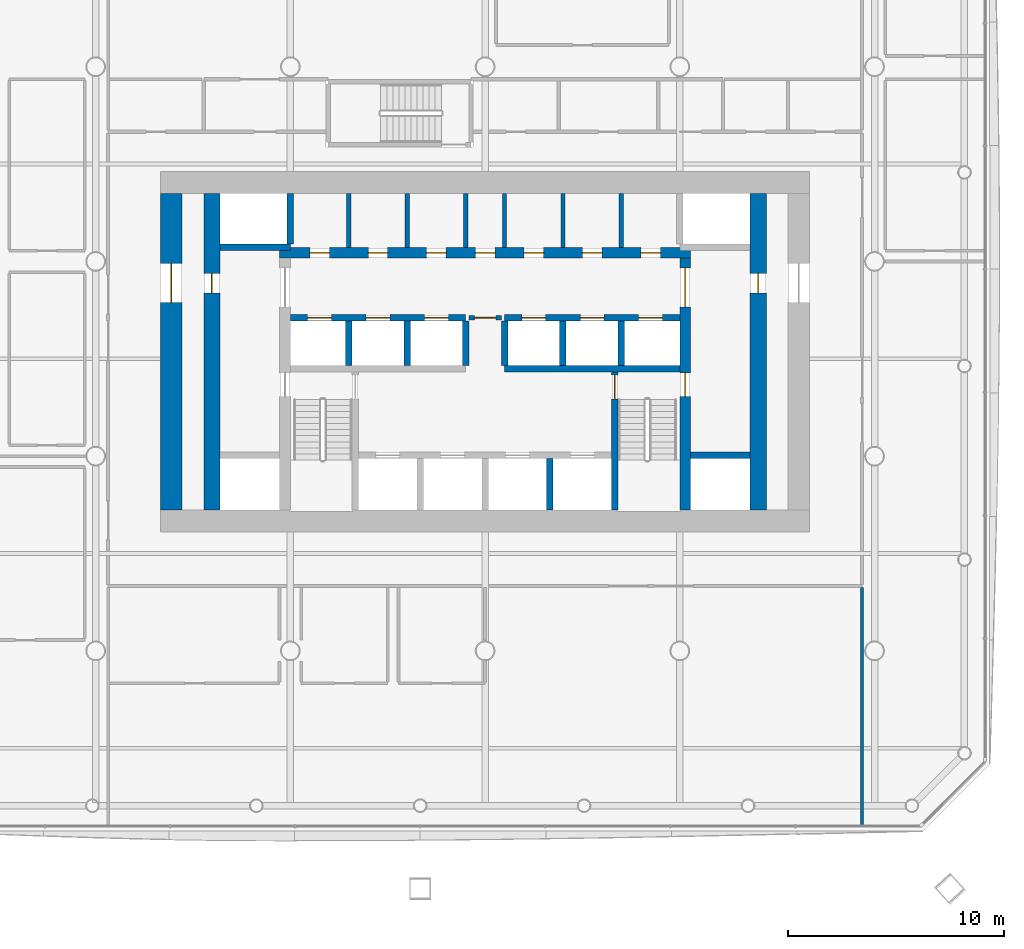
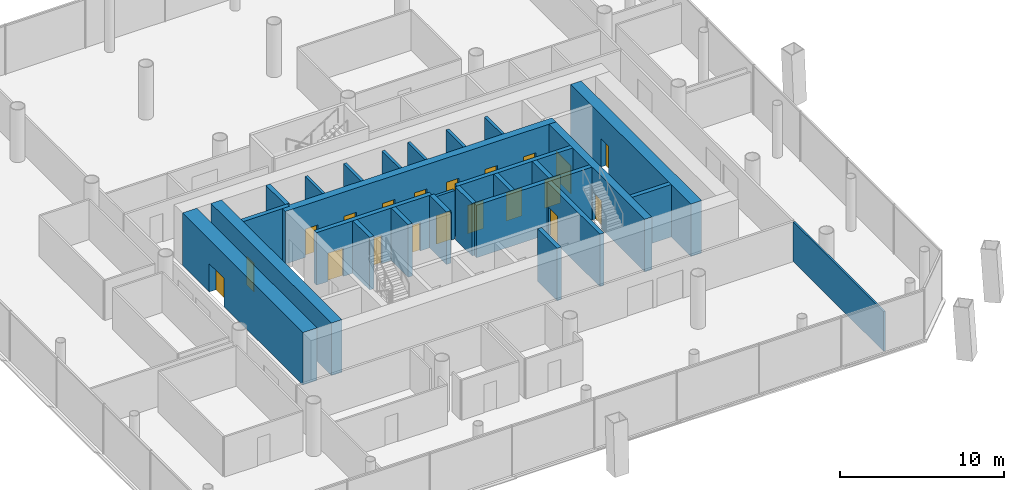
# One storey, part 13 of 20: 27 walls, 20 doors, 20 openings.
"""IFC4 building model written with IfcOpenShell, lengths in metres."""

from ifc_helpers import new_model, si_unit, direction, frame, frame_2d, origin, place, context, subcontext, project, spatial, rectangle, extrude, material, layer, layer_set, type_object, element, fill, save


model = new_model("IFC4")

# Units and contexts
model_context = context("Model", 3, precision=1e-05, world=origin(), true_north=direction((0.0, 1.0)))
body_context = subcontext(model_context, "Body", "Model", "MODEL_VIEW")
ifc_project = project(units=[si_unit("LENGTHUNIT", "METRE"), si_unit("AREAUNIT", "SQUARE_METRE"), si_unit("VOLUMEUNIT", "CUBIC_METRE"), si_unit("PLANEANGLEUNIT", "RADIAN"), si_unit("MASSUNIT", "GRAM", prefix="KILO")], contexts=[model_context])

# Site, building, storey
site_placement = place(None, origin())
site = spatial("IfcSite", under=ifc_project, at=site_placement, CompositionType="ELEMENT")
building_placement = place(site_placement, origin())
building = spatial("IfcBuilding", under=site, at=building_placement, Name="Tskaro Facet Tower", CompositionType="ELEMENT")
storey_placement = place(building_placement, frame((0.0, 0.0, 49.800048828125)))
storey = spatial("IfcBuildingStorey", under=building, at=storey_placement, Name="L11", CompositionType="ELEMENT", Elevation=49.800048828125)

# Walls
ifc_material_1 = material(Name="Concrete C60/75", Category="concrete")
ifc_layer_1 = layer(ifc_material_1, 0.300048828125, Name="Concrete C60/75")
ifc_layer_set_1 = layer_set([ifc_layer_1], Name="Concrete C60/75")
wall_type_1 = type_object("IfcWallType", Name="CORE-SHAFT", PredefinedType="SHEAR", material=ifc_layer_set_1)
wall_1_placement = place(storey_placement, frame((9.5, -8.949951171875, 0.0), z_axis=(0.0, 0.0, 1.0), x_axis=(1.0, 0.0, 0.0)))
element("IfcWall", 1, at=wall_1_placement, inside=storey, type_object=wall_type_1, Name="Shaft wall W010", PredefinedType="SHEAR", context=body_context, shape_type="SweptSolid", body=[
    extrude(rectangle(XDim=2.75, YDim=0.300048828125, at=frame_2d((1.375, 0.0))), origin(), (0.0, 0.0, 1.0), 3.89990234375),
])
wall_2_placement = place(storey_placement, frame((0.89990234375, -4.949951171875, 0.0), z_axis=(0.0, 0.0, 1.0), x_axis=(1.0, 0.0, 0.0)))
element("IfcWall", 2, at=wall_2_placement, inside=storey, type_object=wall_type_1, Name="Shaft wall W013", PredefinedType="SHEAR", context=body_context, shape_type="SweptSolid", body=[
    extrude(rectangle(XDim=8.10009765625, YDim=0.300048828125, at=frame_2d((4.050048828125, 0.0))), origin(), (0.0, 0.0, 1.0), 3.89990234375),
])

# Wall, openings, doors
wall_3_placement = place(storey_placement, frame((-9.0, -2.60009765625, 0.0), z_axis=(0.0, 0.0, 1.0), x_axis=(1.0, 0.0, 0.0)))
wall_3 = element("IfcWall", 3, at=wall_3_placement, inside=storey, type_object=wall_type_1, Name="Shaft wall W014", PredefinedType="SHEAR", context=body_context, shape_type="SweptSolid", body=[
    extrude(rectangle(XDim=8.10009765625, YDim=0.300048828125, at=frame_2d((4.050048828125, 0.0))), origin(), (0.0, 0.0, 1.0), 3.89990234375),
])
opening_1_placement = place(wall_3_placement, frame((0.800048828125, 0.0, 0.0)))
opening_1 = element("IfcOpeningElement", 4, at=opening_1_placement, cuts=wall_3, Name="Opening LD-LR1", PredefinedType="OPENING", context=body_context, shape_type="SweptSolid", body=[
    extrude(rectangle(XDim=1.10009765625, YDim=2.10009765625, at=frame_2d((0.550048828125, 1.050048828125))), frame((0.0, 0.159912109375, 0.0), z_axis=(0.0, -1.0, 0.0), x_axis=(1.0, 0.0, 0.0)), (0.0, 0.0, 1.0), 0.320068359375),
])
opening_2_placement = place(wall_3_placement, frame((3.5, 0.0, 0.0)))
opening_2 = element("IfcOpeningElement", 5, at=opening_2_placement, cuts=wall_3, Name="Opening LD-LR2", PredefinedType="OPENING", context=body_context, shape_type="SweptSolid", body=[
    extrude(rectangle(XDim=1.10009765625, YDim=2.10009765625, at=frame_2d((0.550048828125, 1.050048828125))), frame((0.0, 0.159912109375, 0.0), z_axis=(0.0, -1.0, 0.0), x_axis=(1.0, 0.0, 0.0)), (0.0, 0.0, 1.0), 0.320068359375),
])
opening_3_placement = place(wall_3_placement, frame((6.199951171875, 0.0, 0.0)))
opening_3 = element("IfcOpeningElement", 6, at=opening_3_placement, cuts=wall_3, Name="Opening LD-LR3", PredefinedType="OPENING", context=body_context, shape_type="SweptSolid", body=[
    extrude(rectangle(XDim=1.10009765625, YDim=2.10009765625, at=frame_2d((0.550048828125, 1.050048828125))), frame((0.0, 0.159912109375, 0.0), z_axis=(0.0, -1.0, 0.0), x_axis=(1.0, 0.0, 0.0)), (0.0, 0.0, 1.0), 0.320068359375),
])
ifc_material_2 = material(Name="Stainless steel", Category="steel")
door_type_1 = type_object("IfcDoorType", Name="D-LANDING", OperationType="NOTDEFINED", PredefinedType="DOOR", material=ifc_material_2)
door_1_placement = place(opening_1_placement, origin())
door_1 = element("IfcDoor", 7, at=door_1_placement, inside=storey, type_object=door_type_1, Name="Landing door LR1", OperationType="DOUBLE_DOOR_SLIDING", OverallHeight=2.10009765625, OverallWidth=1.10009765625, PredefinedType="DOOR", context=body_context, shape_type="SweptSolid", body=[
    extrude(rectangle(XDim=1.10009765625, YDim=2.10009765625, at=frame_2d((0.550048828125, 1.050048828125))), frame((0.0, 0.02490234375, 0.0), z_axis=(0.0, -1.0, 0.0), x_axis=(1.0, 0.0, 0.0)), (0.0, 0.0, 1.0), 0.050048828125),
])
fill(opening_1, door_1)
door_2_placement = place(opening_2_placement, origin())
door_2 = element("IfcDoor", 8, at=door_2_placement, inside=storey, type_object=door_type_1, Name="Landing door LR2", OperationType="DOUBLE_DOOR_SLIDING", OverallHeight=2.10009765625, OverallWidth=1.10009765625, PredefinedType="DOOR", context=body_context, shape_type="SweptSolid", body=[
    extrude(rectangle(XDim=1.10009765625, YDim=2.10009765625, at=frame_2d((0.550048828125, 1.050048828125))), frame((0.0, 0.02490234375, 0.0), z_axis=(0.0, -1.0, 0.0), x_axis=(1.0, 0.0, 0.0)), (0.0, 0.0, 1.0), 0.050048828125),
])
fill(opening_2, door_2)
door_3_placement = place(opening_3_placement, origin())
door_3 = element("IfcDoor", 9, at=door_3_placement, inside=storey, type_object=door_type_1, Name="Landing door LR3", OperationType="DOUBLE_DOOR_SLIDING", OverallHeight=2.10009765625, OverallWidth=1.10009765625, PredefinedType="DOOR", context=body_context, shape_type="SweptSolid", body=[
    extrude(rectangle(XDim=1.10009765625, YDim=2.10009765625, at=frame_2d((0.550048828125, 1.050048828125))), frame((0.0, 0.02490234375, 0.0), z_axis=(0.0, -1.0, 0.0), x_axis=(1.0, 0.0, 0.0)), (0.0, 0.0, 1.0), 0.050048828125),
])
fill(opening_3, door_3)

wall_4_placement = place(storey_placement, frame((0.89990234375, -2.60009765625, 0.0), z_axis=(0.0, 0.0, 1.0), x_axis=(1.0, 0.0, 0.0)))
wall_4 = element("IfcWall", 10, at=wall_4_placement, inside=storey, type_object=wall_type_1, Name="Shaft wall W016", PredefinedType="SHEAR", context=body_context, shape_type="SweptSolid", body=[
    extrude(rectangle(XDim=8.10009765625, YDim=0.300048828125, at=frame_2d((4.050048828125, 0.0))), origin(), (0.0, 0.0, 1.0), 3.89990234375),
])
opening_4_placement = place(wall_4_placement, frame((0.800048828125, 0.0, 0.0)))
opening_4 = element("IfcOpeningElement", 11, at=opening_4_placement, cuts=wall_4, Name="Opening LD-LR4", PredefinedType="OPENING", context=body_context, shape_type="SweptSolid", body=[
    extrude(rectangle(XDim=1.10009765625, YDim=2.10009765625, at=frame_2d((0.550048828125, 1.050048828125))), frame((0.0, 0.159912109375, 0.0), z_axis=(0.0, -1.0, 0.0), x_axis=(1.0, 0.0, 0.0)), (0.0, 0.0, 1.0), 0.320068359375),
])
opening_5_placement = place(wall_4_placement, frame((3.5, 0.0, 0.0)))
opening_5 = element("IfcOpeningElement", 12, at=opening_5_placement, cuts=wall_4, Name="Opening LD-LR5", PredefinedType="OPENING", context=body_context, shape_type="SweptSolid", body=[
    extrude(rectangle(XDim=1.10009765625, YDim=2.10009765625, at=frame_2d((0.550048828125, 1.050048828125))), frame((0.0, 0.159912109375, 0.0), z_axis=(0.0, -1.0, 0.0), x_axis=(1.0, 0.0, 0.0)), (0.0, 0.0, 1.0), 0.320068359375),
])
opening_6_placement = place(wall_4_placement, frame((6.199951171875, 0.0, 0.0)))
opening_6 = element("IfcOpeningElement", 13, at=opening_6_placement, cuts=wall_4, Name="Opening LD-LR6", PredefinedType="OPENING", context=body_context, shape_type="SweptSolid", body=[
    extrude(rectangle(XDim=1.10009765625, YDim=2.10009765625, at=frame_2d((0.550048828125, 1.050048828125))), frame((0.0, 0.159912109375, 0.0), z_axis=(0.0, -1.0, 0.0), x_axis=(1.0, 0.0, 0.0)), (0.0, 0.0, 1.0), 0.320068359375),
])
door_4_placement = place(opening_4_placement, origin())
door_4 = element("IfcDoor", 14, at=door_4_placement, inside=storey, type_object=door_type_1, Name="Landing door LR4", OperationType="DOUBLE_DOOR_SLIDING", OverallHeight=2.10009765625, OverallWidth=1.10009765625, PredefinedType="DOOR", context=body_context, shape_type="SweptSolid", body=[
    extrude(rectangle(XDim=1.10009765625, YDim=2.10009765625, at=frame_2d((0.550048828125, 1.050048828125))), frame((0.0, 0.02490234375, 0.0), z_axis=(0.0, -1.0, 0.0), x_axis=(1.0, 0.0, 0.0)), (0.0, 0.0, 1.0), 0.050048828125),
])
fill(opening_4, door_4)
door_5_placement = place(opening_5_placement, origin())
door_5 = element("IfcDoor", 15, at=door_5_placement, inside=storey, type_object=door_type_1, Name="Landing door LR5", OperationType="DOUBLE_DOOR_SLIDING", OverallHeight=2.10009765625, OverallWidth=1.10009765625, PredefinedType="DOOR", context=body_context, shape_type="SweptSolid", body=[
    extrude(rectangle(XDim=1.10009765625, YDim=2.10009765625, at=frame_2d((0.550048828125, 1.050048828125))), frame((0.0, 0.02490234375, 0.0), z_axis=(0.0, -1.0, 0.0), x_axis=(1.0, 0.0, 0.0)), (0.0, 0.0, 1.0), 0.050048828125),
])
fill(opening_5, door_5)
door_6_placement = place(opening_6_placement, origin())
door_6 = element("IfcDoor", 16, at=door_6_placement, inside=storey, type_object=door_type_1, Name="Landing door LR6", OperationType="DOUBLE_DOOR_SLIDING", OverallHeight=2.10009765625, OverallWidth=1.10009765625, PredefinedType="DOOR", context=body_context, shape_type="SweptSolid", body=[
    extrude(rectangle(XDim=1.10009765625, YDim=2.10009765625, at=frame_2d((0.550048828125, 1.050048828125))), frame((0.0, 0.02490234375, 0.0), z_axis=(0.0, -1.0, 0.0), x_axis=(1.0, 0.0, 0.0)), (0.0, 0.0, 1.0), 0.050048828125),
])
fill(opening_6, door_6)

# Walls
wall_5_placement = place(storey_placement, frame((-9.0, 0.64990234375, 0.0), z_axis=(0.0, 0.0, 1.0), x_axis=(-1.0, 0.0, 0.0)))
element("IfcWall", 17, at=wall_5_placement, inside=storey, type_object=wall_type_1, Name="Shaft wall W021", PredefinedType="SHEAR", context=body_context, shape_type="SweptSolid", body=[
    extrude(rectangle(XDim=3.25, YDim=0.300048828125, at=frame_2d((1.625, 0.0))), origin(), (0.0, 0.0, 1.0), 3.89990234375),
])
wall_6_placement = place(storey_placement, frame((-9.0, 0.800048828125, 0.0), z_axis=(0.0, 0.0, 1.0), x_axis=(0.0, 1.0, 0.0)))
element("IfcWall", 18, at=wall_6_placement, inside=storey, type_object=wall_type_1, Name="Shaft wall W049", PredefinedType="SHEAR", context=body_context, shape_type="SweptSolid", body=[
    extrude(rectangle(XDim=2.349853515625, YDim=0.300048828125, at=frame_2d((1.1748046875, 0.0))), origin(), (0.0, 0.0, 1.0), 3.89990234375),
])
for number, where, z_axis, x_axis, name in (
    (19, (-6.300048828125, -4.800048828125, 0.0), (0.0, 0.0, 1.0), (0.0, 1.0, 0.0), "Shaft wall W053"),
    (20, (-3.60009765625, -4.800048828125, 0.0), (0.0, 0.0, 1.0), (0.0, 1.0, 0.0), "Shaft wall W058"),
    (21, (-0.89990234375, -4.800048828125, 0.0), (0.0, 0.0, 1.0), (0.0, 1.0, 0.0), "Shaft wall W061"),
    (22, (0.89990234375, -4.800048828125, 0.0), (0.0, 0.0, 1.0), (0.0, 1.0, 0.0), "Shaft wall W068"),
):
    element("IfcWall", number, at=place(storey_placement, frame(where, z_axis=z_axis, x_axis=x_axis)), inside=storey, type_object=wall_type_1, Name=name, PredefinedType="SHEAR", context=body_context, shape_type="SweptSolid", body=[
        extrude(rectangle(XDim=2.050048828125, YDim=0.300048828125, at=frame_2d((1.02490234375, 0.0))), origin(), (0.0, 0.0, 1.0), 3.89990234375),
    ])
wall_7_placement = place(storey_placement, frame((3.0, -11.5, 0.0), z_axis=(0.0, 0.0, 1.0), x_axis=(0.0, 1.0, 0.0)))
element("IfcWall", 23, at=wall_7_placement, inside=storey, type_object=wall_type_1, Name="Shaft wall W070", PredefinedType="SHEAR", context=body_context, shape_type="SweptSolid", body=[
    extrude(rectangle(XDim=2.39990234375, YDim=0.300048828125, at=frame_2d((1.199951171875, 0.0))), origin(), (0.0, 0.0, 1.0), 3.89990234375),
])
wall_8_placement = place(storey_placement, frame((3.60009765625, -4.800048828125, 0.0), z_axis=(0.0, 0.0, 1.0), x_axis=(0.0, 1.0, 0.0)))
element("IfcWall", 24, at=wall_8_placement, inside=storey, type_object=wall_type_1, Name="Shaft wall W072", PredefinedType="SHEAR", context=body_context, shape_type="SweptSolid", body=[
    extrude(rectangle(XDim=2.050048828125, YDim=0.300048828125, at=frame_2d((1.02490234375, 0.0))), origin(), (0.0, 0.0, 1.0), 3.89990234375),
])

# Wall, opening, door
wall_9_placement = place(storey_placement, frame((6.0, -5.10009765625, 0.0), z_axis=(0.0, 0.0, 1.0), x_axis=(0.0, -1.0, 0.0)))
wall_9 = element("IfcWall", 25, at=wall_9_placement, inside=storey, type_object=wall_type_1, Name="Shaft wall W074", PredefinedType="SHEAR", context=body_context, shape_type="SweptSolid", body=[
    extrude(rectangle(XDim=6.39990234375, YDim=0.300048828125, at=frame_2d((3.199951171875, 0.0))), origin(), (0.0, 0.0, 1.0), 3.89990234375),
])
opening_7_placement = place(wall_9_placement, frame((0.14990234375, 0.0, 0.0)))
opening_7 = element("IfcOpeningElement", 26, at=opening_7_placement, cuts=wall_9, Name="Opening ST-2-D1", PredefinedType="OPENING", context=body_context, shape_type="SweptSolid", body=[
    extrude(rectangle(XDim=1.10009765625, YDim=2.10009765625, at=frame_2d((0.550048828125, 1.050048828125))), frame((0.0, 0.159912109375, 0.0), z_axis=(0.0, -1.0, 0.0), x_axis=(1.0, 0.0, 0.0)), (0.0, 0.0, 1.0), 0.320068359375),
])
ifc_material_3 = material(Name="Steel", Category="steel")
door_type_2 = type_object("IfcDoorType", Name="D-STAIR", OperationType="NOTDEFINED", PredefinedType="DOOR", material=ifc_material_3)
door_7_placement = place(opening_7_placement, origin())
door_7 = element("IfcDoor", 27, at=door_7_placement, inside=storey, type_object=door_type_2, Name="Stair door 2", OperationType="SINGLE_SWING_RIGHT", OverallHeight=2.10009765625, OverallWidth=1.10009765625, PredefinedType="DOOR", context=body_context, shape_type="SweptSolid", body=[
    extrude(rectangle(XDim=1.10009765625, YDim=2.10009765625, at=frame_2d((0.550048828125, 1.050048828125))), frame((0.0, 0.02490234375, 0.0), z_axis=(0.0, -1.0, 0.0), x_axis=(1.0, 0.0, 0.0)), (0.0, 0.0, 1.0), 0.050048828125),
])
fill(opening_7, door_7)

# Wall
wall_10_placement = place(storey_placement, frame((6.300048828125, -4.800048828125, 0.0), z_axis=(0.0, 0.0, 1.0), x_axis=(0.0, 1.0, 0.0)))
element("IfcWall", 28, at=wall_10_placement, inside=storey, type_object=wall_type_1, Name="Shaft wall W075", PredefinedType="SHEAR", context=body_context, shape_type="SweptSolid", body=[
    extrude(rectangle(XDim=2.050048828125, YDim=0.300048828125, at=frame_2d((1.02490234375, 0.0))), origin(), (0.0, 0.0, 1.0), 3.89990234375),
])

# Wall, opening, door
ifc_material_4 = material(Name="Concrete C20/25", Category="concrete")
ifc_layer_2 = layer(ifc_material_4, 0.199951171875, Name="Concrete C20/25")
ifc_layer_set_2 = layer_set([ifc_layer_2], Name="Concrete C20/25")
wall_type_2 = type_object("IfcWallType", Name="CORE-WALL", PredefinedType="SOLIDWALL", material=ifc_layer_set_2)
wall_11_placement = place(storey_placement, frame((0.75, -2.60009765625, 0.0), z_axis=(0.0, 0.0, 1.0), x_axis=(-1.0, 0.0, 0.0)))
wall_11 = element("IfcWall", 29, at=wall_11_placement, inside=storey, type_object=wall_type_2, Name="Core room wall W015", PredefinedType="SOLIDWALL", context=body_context, shape_type="SweptSolid", body=[
    extrude(rectangle(XDim=1.5, YDim=0.199951171875, at=frame_2d((0.75, 0.0))), origin(), (0.0, 0.0, 1.0), 3.599853515625),
])
opening_8_placement = place(wall_11_placement, frame((0.25, 0.0, 0.0)))
opening_8 = element("IfcOpeningElement", 30, at=opening_8_placement, cuts=wall_11, Name="Opening FL-D1", PredefinedType="OPENING", context=body_context, shape_type="SweptSolid", body=[
    extrude(rectangle(XDim=1.0, YDim=2.10009765625, at=frame_2d((0.5, 1.050048828125))), frame((0.0, 0.10986328125, 0.0), z_axis=(0.0, -1.0, 0.0), x_axis=(1.0, 0.0, 0.0)), (0.0, 0.0, 1.0), 0.219970703125),
])
door_type_3 = type_object("IfcDoorType", Name="D-LOBBY", OperationType="NOTDEFINED", PredefinedType="DOOR", material=ifc_material_3)
door_8_placement = place(opening_8_placement, origin())
door_8 = element("IfcDoor", 31, at=door_8_placement, inside=storey, type_object=door_type_3, Name="Lobby door FL", OperationType="SINGLE_SWING_RIGHT", OverallHeight=2.10009765625, OverallWidth=1.0, PredefinedType="DOOR", context=body_context, shape_type="SweptSolid", body=[
    extrude(rectangle(XDim=1.0, YDim=2.10009765625, at=frame_2d((0.5, 1.050048828125))), frame((0.0, 0.02490234375, 0.0), z_axis=(0.0, -1.0, 0.0), x_axis=(1.0, 0.0, 0.0)), (0.0, 0.0, 1.0), 0.050048828125),
])
fill(opening_8, door_8)

# Walls
for number, where, z_axis, x_axis, name in (
    (32, (-6.300048828125, 0.64990234375, 0.0), (0.0, 0.0, 1.0), (0.0, 1.0, 0.0), "Core room wall W054"),
    (33, (-3.60009765625, 0.64990234375, 0.0), (0.0, 0.0, 1.0), (0.0, 1.0, 0.0), "Core room wall W059"),
    (34, (-0.89990234375, 0.64990234375, 0.0), (0.0, 0.0, 1.0), (0.0, 1.0, 0.0), "Core room wall W062"),
    (35, (0.89990234375, 0.64990234375, 0.0), (0.0, 0.0, 1.0), (0.0, 1.0, 0.0), "Core room wall W069"),
    (36, (3.60009765625, 0.64990234375, 0.0), (0.0, 0.0, 1.0), (0.0, 1.0, 0.0), "Core room wall W073"),
    (37, (6.300048828125, 0.64990234375, 0.0), (0.0, 0.0, 1.0), (0.0, 1.0, 0.0), "Core room wall W076"),
):
    element("IfcWall", number, at=place(storey_placement, frame(where, z_axis=z_axis, x_axis=x_axis)), inside=storey, type_object=wall_type_2, Name=name, PredefinedType="SOLIDWALL", context=body_context, shape_type="SweptSolid", body=[
        extrude(rectangle(XDim=2.5, YDim=0.199951171875, at=frame_2d((1.25, 0.0))), origin(), (0.0, 0.0, 1.0), 3.599853515625),
    ])

# Wall, opening, door
ifc_layer_3 = layer(ifc_material_1, 1.0, Name="Concrete C60/75")
ifc_layer_set_3 = layer_set([ifc_layer_3], Name="Concrete C60/75")
wall_type_3 = type_object("IfcWallType", Name="Core wall 1000", PredefinedType="SHEAR", material=ifc_layer_set_3)
wall_12_placement = place(storey_placement, frame((-14.5, -11.5, 0.0), z_axis=(0.0, 0.0, 1.0), x_axis=(0.0, 1.0, 0.0)))
wall_12 = element("IfcWall", 38, at=wall_12_placement, inside=storey, type_object=wall_type_3, Name="Core wall CW-Z1W", PredefinedType="SHEAR", context=body_context, shape_type="SweptSolid", body=[
    extrude(rectangle(XDim=14.64990234375, YDim=1.0, at=frame_2d((7.324951171875, 0.0))), origin(), (0.0, 0.0, 1.0), 3.89990234375),
])
opening_9_placement = place(wall_12_placement, frame((9.60009765625, 0.0, 0.0)))
opening_9 = element("IfcOpeningElement", 39, at=opening_9_placement, cuts=wall_12, Name="Opening T3-D17", PredefinedType="OPENING", context=body_context, shape_type="SweptSolid", body=[
    extrude(rectangle(XDim=1.800048828125, YDim=2.10009765625, at=frame_2d((0.89990234375, 1.050048828125))), frame((0.0, 0.510009765625, 0.0), z_axis=(0.0, -1.0, 0.0), x_axis=(1.0, 0.0, 0.0)), (0.0, 0.0, 1.0), 1.02001953125),
])
door_type_4 = type_object("IfcDoorType", Name="D-CORE-PAIR", OperationType="NOTDEFINED", PredefinedType="DOOR", material=ifc_material_3)
door_9_placement = place(opening_9_placement, origin())
door_9 = element("IfcDoor", 40, at=door_9_placement, inside=storey, type_object=door_type_4, Name="Door T3-D17", OperationType="DOUBLE_DOOR_SINGLE_SWING", OverallHeight=2.10009765625, OverallWidth=1.800048828125, PredefinedType="DOOR", context=body_context, shape_type="SweptSolid", body=[
    extrude(rectangle(XDim=1.800048828125, YDim=2.10009765625, at=frame_2d((0.89990234375, 1.050048828125))), frame((0.0, 0.02490234375, 0.0), z_axis=(0.0, -1.0, 0.0), x_axis=(1.0, 0.0, 0.0)), (0.0, 0.0, 1.0), 0.050048828125),
])
fill(opening_9, door_9)

# Wall, openings, doors
ifc_material_5 = material(Name="Concrete C40/50", Category="concrete")
ifc_layer_4 = layer(ifc_material_5, 0.5, Name="Concrete C40/50")
ifc_layer_set_4 = layer_set([ifc_layer_4], Name="Concrete C40/50")
wall_type_4 = type_object("IfcWallType", Name="Core wall 500", PredefinedType="SHEAR", material=ifc_layer_set_4)
wall_13_placement = place(storey_placement, frame((-9.5, 0.39990234375, 0.0), z_axis=(0.0, 0.0, 1.0), x_axis=(1.0, 0.0, 0.0)))
wall_13 = element("IfcWall", 41, at=wall_13_placement, inside=storey, type_object=wall_type_4, Name="Core wall CW-Z3N", PredefinedType="SHEAR", context=body_context, shape_type="SweptSolid", body=[
    extrude(rectangle(XDim=19.0, YDim=0.5, at=frame_2d((9.5, 0.0))), origin(), (0.0, 0.0, 1.0), 3.89990234375),
])
opening_10_placement = place(wall_13_placement, frame((1.39990234375, 0.0, 0.0)))
opening_10 = element("IfcOpeningElement", 42, at=opening_10_placement, cuts=wall_13, Name="Opening T3-D21", PredefinedType="OPENING", context=body_context, shape_type="SweptSolid", body=[
    extrude(rectangle(XDim=0.89990234375, YDim=2.10009765625, at=frame_2d((0.449951171875, 1.050048828125))), frame((0.0, 0.260009765625, 0.0), z_axis=(0.0, -1.0, 0.0), x_axis=(1.0, 0.0, 0.0)), (0.0, 0.0, 1.0), 0.52001953125),
])
opening_11_placement = place(wall_13_placement, frame((4.10009765625, 0.0, 0.0)))
opening_11 = element("IfcOpeningElement", 43, at=opening_11_placement, cuts=wall_13, Name="Opening T3-D22", PredefinedType="OPENING", context=body_context, shape_type="SweptSolid", body=[
    extrude(rectangle(XDim=0.89990234375, YDim=2.10009765625, at=frame_2d((0.449951171875, 1.050048828125))), frame((0.0, 0.260009765625, 0.0), z_axis=(0.0, -1.0, 0.0), x_axis=(1.0, 0.0, 0.0)), (0.0, 0.0, 1.0), 0.52001953125),
])
opening_12_placement = place(wall_13_placement, frame((6.800048828125, 0.0, 0.0)))
opening_12 = element("IfcOpeningElement", 44, at=opening_12_placement, cuts=wall_13, Name="Opening T3-D23", PredefinedType="OPENING", context=body_context, shape_type="SweptSolid", body=[
    extrude(rectangle(XDim=0.89990234375, YDim=2.10009765625, at=frame_2d((0.449951171875, 1.050048828125))), frame((0.0, 0.260009765625, 0.0), z_axis=(0.0, -1.0, 0.0), x_axis=(1.0, 0.0, 0.0)), (0.0, 0.0, 1.0), 0.52001953125),
])
opening_13_placement = place(wall_13_placement, frame((11.300048828125, 0.0, 0.0)))
opening_13 = element("IfcOpeningElement", 45, at=opening_13_placement, cuts=wall_13, Name="Opening T3-D25", PredefinedType="OPENING", context=body_context, shape_type="SweptSolid", body=[
    extrude(rectangle(XDim=0.89990234375, YDim=2.10009765625, at=frame_2d((0.449951171875, 1.050048828125))), frame((0.0, 0.260009765625, 0.0), z_axis=(0.0, -1.0, 0.0), x_axis=(1.0, 0.0, 0.0)), (0.0, 0.0, 1.0), 0.52001953125),
])
opening_14_placement = place(wall_13_placement, frame((14.0, 0.0, 0.0)))
opening_14 = element("IfcOpeningElement", 46, at=opening_14_placement, cuts=wall_13, Name="Opening T3-D26", PredefinedType="OPENING", context=body_context, shape_type="SweptSolid", body=[
    extrude(rectangle(XDim=0.89990234375, YDim=2.10009765625, at=frame_2d((0.449951171875, 1.050048828125))), frame((0.0, 0.260009765625, 0.0), z_axis=(0.0, -1.0, 0.0), x_axis=(1.0, 0.0, 0.0)), (0.0, 0.0, 1.0), 0.52001953125),
])
opening_15_placement = place(wall_13_placement, frame((16.699951171875, 0.0, 0.0)))
opening_15 = element("IfcOpeningElement", 47, at=opening_15_placement, cuts=wall_13, Name="Opening T3-D27", PredefinedType="OPENING", context=body_context, shape_type="SweptSolid", body=[
    extrude(rectangle(XDim=0.89990234375, YDim=2.10009765625, at=frame_2d((0.449951171875, 1.050048828125))), frame((0.0, 0.260009765625, 0.0), z_axis=(0.0, -1.0, 0.0), x_axis=(1.0, 0.0, 0.0)), (0.0, 0.0, 1.0), 0.52001953125),
])
opening_16_placement = place(wall_13_placement, frame((9.050048828125, 0.0, 0.0)))
opening_16 = element("IfcOpeningElement", 48, at=opening_16_placement, cuts=wall_13, Name="Opening T3-D24", PredefinedType="OPENING", context=body_context, shape_type="SweptSolid", body=[
    extrude(rectangle(XDim=0.89990234375, YDim=2.10009765625, at=frame_2d((0.449951171875, 1.050048828125))), frame((0.0, 0.260009765625, 0.0), z_axis=(0.0, -1.0, 0.0), x_axis=(1.0, 0.0, 0.0)), (0.0, 0.0, 1.0), 0.52001953125),
])
door_type_5 = type_object("IfcDoorType", Name="D-RISER", OperationType="NOTDEFINED", PredefinedType="DOOR", material=ifc_material_3)
door_10_placement = place(opening_16_placement, origin())
door_10 = element("IfcDoor", 49, at=door_10_placement, inside=storey, type_object=door_type_5, Name="Door T3-D24", OperationType="SINGLE_SWING_LEFT", OverallHeight=2.10009765625, OverallWidth=0.89990234375, PredefinedType="DOOR", context=body_context, shape_type="SweptSolid", body=[
    extrude(rectangle(XDim=0.89990234375, YDim=2.10009765625, at=frame_2d((0.449951171875, 1.050048828125))), frame((0.0, 0.02490234375, 0.0), z_axis=(0.0, -1.0, 0.0), x_axis=(1.0, 0.0, 0.0)), (0.0, 0.0, 1.0), 0.050048828125),
])
fill(opening_16, door_10)
ifc_material_6 = material(Name="Timber", Category="wood")
door_type_6 = type_object("IfcDoorType", Name="D-ROOM", OperationType="NOTDEFINED", PredefinedType="DOOR", material=ifc_material_6)
door_11_placement = place(opening_10_placement, origin())
door_11 = element("IfcDoor", 50, at=door_11_placement, inside=storey, type_object=door_type_6, Name="Door T3-D21", OperationType="SINGLE_SWING_LEFT", OverallHeight=2.10009765625, OverallWidth=0.89990234375, PredefinedType="DOOR", context=body_context, shape_type="SweptSolid", body=[
    extrude(rectangle(XDim=0.89990234375, YDim=2.10009765625, at=frame_2d((0.449951171875, 1.050048828125))), frame((0.0, 0.02490234375, 0.0), z_axis=(0.0, -1.0, 0.0), x_axis=(1.0, 0.0, 0.0)), (0.0, 0.0, 1.0), 0.050048828125),
])
fill(opening_10, door_11)
door_12_placement = place(opening_11_placement, origin())
door_12 = element("IfcDoor", 51, at=door_12_placement, inside=storey, type_object=door_type_6, Name="Door T3-D22", OperationType="SINGLE_SWING_LEFT", OverallHeight=2.10009765625, OverallWidth=0.89990234375, PredefinedType="DOOR", context=body_context, shape_type="SweptSolid", body=[
    extrude(rectangle(XDim=0.89990234375, YDim=2.10009765625, at=frame_2d((0.449951171875, 1.050048828125))), frame((0.0, 0.02490234375, 0.0), z_axis=(0.0, -1.0, 0.0), x_axis=(1.0, 0.0, 0.0)), (0.0, 0.0, 1.0), 0.050048828125),
])
fill(opening_11, door_12)
door_13_placement = place(opening_12_placement, origin())
door_13 = element("IfcDoor", 52, at=door_13_placement, inside=storey, type_object=door_type_6, Name="Door T3-D23", OperationType="SINGLE_SWING_LEFT", OverallHeight=2.10009765625, OverallWidth=0.89990234375, PredefinedType="DOOR", context=body_context, shape_type="SweptSolid", body=[
    extrude(rectangle(XDim=0.89990234375, YDim=2.10009765625, at=frame_2d((0.449951171875, 1.050048828125))), frame((0.0, 0.02490234375, 0.0), z_axis=(0.0, -1.0, 0.0), x_axis=(1.0, 0.0, 0.0)), (0.0, 0.0, 1.0), 0.050048828125),
])
fill(opening_12, door_13)
door_14_placement = place(opening_13_placement, origin())
door_14 = element("IfcDoor", 53, at=door_14_placement, inside=storey, type_object=door_type_6, Name="Door T3-D25", OperationType="SINGLE_SWING_LEFT", OverallHeight=2.10009765625, OverallWidth=0.89990234375, PredefinedType="DOOR", context=body_context, shape_type="SweptSolid", body=[
    extrude(rectangle(XDim=0.89990234375, YDim=2.10009765625, at=frame_2d((0.449951171875, 1.050048828125))), frame((0.0, 0.02490234375, 0.0), z_axis=(0.0, -1.0, 0.0), x_axis=(1.0, 0.0, 0.0)), (0.0, 0.0, 1.0), 0.050048828125),
])
fill(opening_13, door_14)
door_15_placement = place(opening_14_placement, origin())
door_15 = element("IfcDoor", 54, at=door_15_placement, inside=storey, type_object=door_type_6, Name="Door T3-D26", OperationType="SINGLE_SWING_LEFT", OverallHeight=2.10009765625, OverallWidth=0.89990234375, PredefinedType="DOOR", context=body_context, shape_type="SweptSolid", body=[
    extrude(rectangle(XDim=0.89990234375, YDim=2.10009765625, at=frame_2d((0.449951171875, 1.050048828125))), frame((0.0, 0.02490234375, 0.0), z_axis=(0.0, -1.0, 0.0), x_axis=(1.0, 0.0, 0.0)), (0.0, 0.0, 1.0), 0.050048828125),
])
fill(opening_14, door_15)
door_16_placement = place(opening_15_placement, origin())
door_16 = element("IfcDoor", 55, at=door_16_placement, inside=storey, type_object=door_type_6, Name="Door T3-D27", OperationType="SINGLE_SWING_LEFT", OverallHeight=2.10009765625, OverallWidth=0.89990234375, PredefinedType="DOOR", context=body_context, shape_type="SweptSolid", body=[
    extrude(rectangle(XDim=0.89990234375, YDim=2.10009765625, at=frame_2d((0.449951171875, 1.050048828125))), frame((0.0, 0.02490234375, 0.0), z_axis=(0.0, -1.0, 0.0), x_axis=(1.0, 0.0, 0.0)), (0.0, 0.0, 1.0), 0.050048828125),
])
fill(opening_15, door_16)

wall_14_placement = place(storey_placement, frame((9.25, -11.5, 0.0), z_axis=(0.0, 0.0, 1.0), x_axis=(0.0, 1.0, 0.0)))
wall_14 = element("IfcWall", 56, at=wall_14_placement, inside=storey, type_object=wall_type_4, Name="Core wall CW-Z3E", PredefinedType="SHEAR", context=body_context, shape_type="SweptSolid", body=[
    extrude(rectangle(XDim=11.64990234375, YDim=0.5, at=frame_2d((5.824951171875, 0.0))), origin(), (0.0, 0.0, 1.0), 3.89990234375),
])
opening_17_placement = place(wall_14_placement, frame((9.39990234375, 0.0, 0.0)))
opening_17 = element("IfcOpeningElement", 57, at=opening_17_placement, cuts=wall_14, Name="Opening T3-D16", PredefinedType="OPENING", context=body_context, shape_type="SweptSolid", body=[
    extrude(rectangle(XDim=1.800048828125, YDim=2.10009765625, at=frame_2d((0.89990234375, 1.050048828125))), frame((0.0, 0.260009765625, 0.0), z_axis=(0.0, -1.0, 0.0), x_axis=(1.0, 0.0, 0.0)), (0.0, 0.0, 1.0), 0.52001953125),
])
opening_18_placement = place(wall_14_placement, frame((5.25, 0.0, 0.0)))
opening_18 = element("IfcOpeningElement", 58, at=opening_18_placement, cuts=wall_14, Name="Opening ST-2-D2", PredefinedType="OPENING", context=body_context, shape_type="SweptSolid", body=[
    extrude(rectangle(XDim=1.10009765625, YDim=2.10009765625, at=frame_2d((0.550048828125, 1.050048828125))), frame((0.0, 0.260009765625, 0.0), z_axis=(0.0, -1.0, 0.0), x_axis=(1.0, 0.0, 0.0)), (0.0, 0.0, 1.0), 0.52001953125),
])
door_17_placement = place(opening_17_placement, origin())
door_17 = element("IfcDoor", 59, at=door_17_placement, inside=storey, type_object=door_type_4, Name="Door T3-D16", OperationType="DOUBLE_DOOR_SINGLE_SWING", OverallHeight=2.10009765625, OverallWidth=1.800048828125, PredefinedType="DOOR", context=body_context, shape_type="SweptSolid", body=[
    extrude(rectangle(XDim=1.800048828125, YDim=2.10009765625, at=frame_2d((0.89990234375, 1.050048828125))), frame((0.0, 0.02490234375, 0.0), z_axis=(0.0, -1.0, 0.0), x_axis=(1.0, 0.0, 0.0)), (0.0, 0.0, 1.0), 0.050048828125),
])
fill(opening_17, door_17)
door_18_placement = place(opening_18_placement, origin())
door_18 = element("IfcDoor", 60, at=door_18_placement, inside=storey, type_object=door_type_2, Name="Stair door 2 east", OperationType="SINGLE_SWING_LEFT", OverallHeight=2.10009765625, OverallWidth=1.10009765625, PredefinedType="DOOR", context=body_context, shape_type="SweptSolid", body=[
    extrude(rectangle(XDim=1.10009765625, YDim=2.10009765625, at=frame_2d((0.550048828125, 1.050048828125))), frame((0.0, 0.02490234375, 0.0), z_axis=(0.0, -1.0, 0.0), x_axis=(1.0, 0.0, 0.0)), (0.0, 0.0, 1.0), 0.050048828125),
])
fill(opening_18, door_18)

# Wall, opening, door
ifc_material_7 = material(Name="Concrete C50/60", Category="concrete")
ifc_layer_5 = layer(ifc_material_7, 0.75, Name="Concrete C50/60")
ifc_layer_set_5 = layer_set([ifc_layer_5], Name="Concrete C50/60")
wall_type_5 = type_object("IfcWallType", Name="Core wall 750", PredefinedType="SHEAR", material=ifc_layer_set_5)
wall_15_placement = place(storey_placement, frame((-12.625, -11.5, 0.0), z_axis=(0.0, 0.0, 1.0), x_axis=(0.0, 1.0, 0.0)))
wall_15 = element("IfcWall", 61, at=wall_15_placement, inside=storey, type_object=wall_type_5, Name="Core wall CW-Z2W", PredefinedType="SHEAR", context=body_context, shape_type="SweptSolid", body=[
    extrude(rectangle(XDim=14.64990234375, YDim=0.75, at=frame_2d((7.324951171875, 0.0))), origin(), (0.0, 0.0, 1.0), 3.89990234375),
])
opening_19_placement = place(wall_15_placement, frame((10.050048828125, 0.0, 0.0)))
opening_19 = element("IfcOpeningElement", 62, at=opening_19_placement, cuts=wall_15, Name="Opening T3-D18", PredefinedType="OPENING", context=body_context, shape_type="SweptSolid", body=[
    extrude(rectangle(XDim=0.89990234375, YDim=2.10009765625, at=frame_2d((0.449951171875, 1.050048828125))), frame((0.0, 0.385009765625, 0.0), z_axis=(0.0, -1.0, 0.0), x_axis=(1.0, 0.0, 0.0)), (0.0, 0.0, 1.0), 0.77001953125),
])
door_19_placement = place(opening_19_placement, origin())
door_19 = element("IfcDoor", 63, at=door_19_placement, inside=storey, type_object=door_type_6, Name="Door T3-D18", OperationType="SINGLE_SWING_LEFT", OverallHeight=2.10009765625, OverallWidth=0.89990234375, PredefinedType="DOOR", context=body_context, shape_type="SweptSolid", body=[
    extrude(rectangle(XDim=0.89990234375, YDim=2.10009765625, at=frame_2d((0.449951171875, 1.050048828125))), frame((0.0, 0.02490234375, 0.0), z_axis=(0.0, -1.0, 0.0), x_axis=(1.0, 0.0, 0.0)), (0.0, 0.0, 1.0), 0.050048828125),
])
fill(opening_19, door_19)

wall_16_placement = place(storey_placement, frame((12.625, -11.5, 0.0), z_axis=(0.0, 0.0, 1.0), x_axis=(0.0, 1.0, 0.0)))
wall_16 = element("IfcWall", 64, at=wall_16_placement, inside=storey, type_object=wall_type_5, Name="Core wall CW-Z2E", PredefinedType="SHEAR", context=body_context, shape_type="SweptSolid", body=[
    extrude(rectangle(XDim=14.64990234375, YDim=0.75, at=frame_2d((7.324951171875, 0.0))), origin(), (0.0, 0.0, 1.0), 3.89990234375),
])
opening_20_placement = place(wall_16_placement, frame((10.050048828125, 0.0, 0.0)))
opening_20 = element("IfcOpeningElement", 65, at=opening_20_placement, cuts=wall_16, Name="Opening T3-D19", PredefinedType="OPENING", context=body_context, shape_type="SweptSolid", body=[
    extrude(rectangle(XDim=0.89990234375, YDim=2.10009765625, at=frame_2d((0.449951171875, 1.050048828125))), frame((0.0, 0.385009765625, 0.0), z_axis=(0.0, -1.0, 0.0), x_axis=(1.0, 0.0, 0.0)), (0.0, 0.0, 1.0), 0.77001953125),
])
door_20_placement = place(opening_20_placement, origin())
door_20 = element("IfcDoor", 66, at=door_20_placement, inside=storey, type_object=door_type_6, Name="Door T3-D19", OperationType="SINGLE_SWING_LEFT", OverallHeight=2.10009765625, OverallWidth=0.89990234375, PredefinedType="DOOR", context=body_context, shape_type="SweptSolid", body=[
    extrude(rectangle(XDim=0.89990234375, YDim=2.10009765625, at=frame_2d((0.449951171875, 1.050048828125))), frame((0.0, 0.02490234375, 0.0), z_axis=(0.0, -1.0, 0.0), x_axis=(1.0, 0.0, 0.0)), (0.0, 0.0, 1.0), 0.050048828125),
])
fill(opening_20, door_20)

# Wall
ifc_material_8 = material(Name="Gypsum board on steel studs", Category="steel")
ifc_layer_6 = layer(ifc_material_8, 0.125, Name="Gypsum board on steel studs")
ifc_layer_set_6 = layer_set([ifc_layer_6], Name="Gypsum board on steel studs")
wall_type_6 = type_object("IfcWallType", Name="PART", PredefinedType="PARTITIONING", material=ifc_layer_set_6)
wall_17_placement = place(storey_placement, frame((17.425048828125, -26.056884765625, 0.0), z_axis=(0.0, 0.0, 1.0), x_axis=(0.0, 1.0, 0.0)))
element("IfcWall", 67, at=wall_17_placement, inside=storey, type_object=wall_type_6, Name="Partition W082", PredefinedType="PARTITIONING", context=body_context, shape_type="SweptSolid", body=[
    extrude(rectangle(XDim=10.98193359375, YDim=0.125, at=frame_2d((5.490966796875, 0.0))), origin(), (0.0, 0.0, 1.0), 2.9599609375),
])

save(model, "model.ifc")
